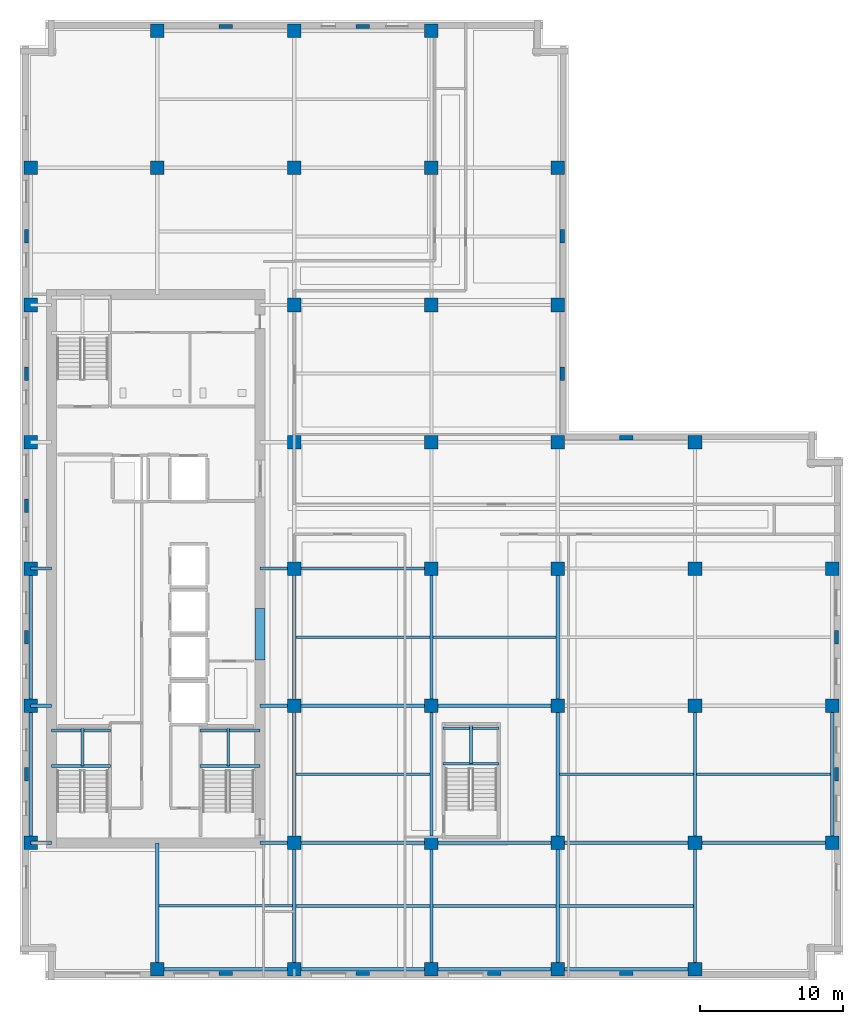
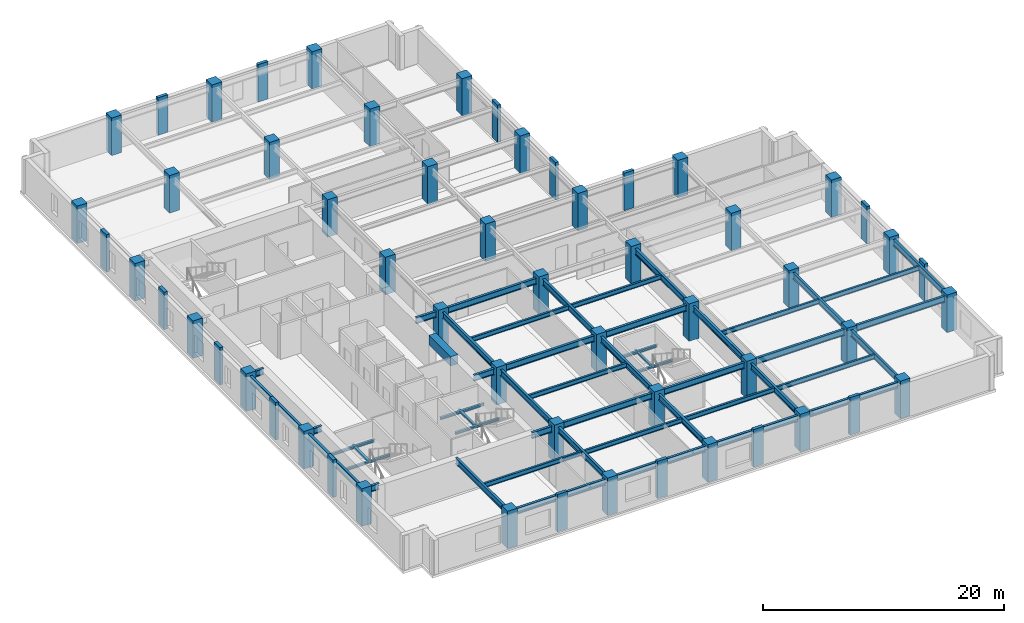
# One storey, part 1 of 13: 56 columns, 51 beams.
"""IFC4 building model written with IfcOpenShell, lengths in metres."""

from ifc_helpers import new_model, si_unit, direction, frame, origin, origin_2d, place, context, subcontext, project, spatial, rectangle, i_section, extrude, material, material_profile, profile_set, type_object, element, save


model = new_model("IFC4")

# Units and contexts
model_context = context("Model", 3, precision=1e-05, world=origin(), true_north=direction((0.0, 1.0)))
body_context = subcontext(model_context, "Body", "Model", "MODEL_VIEW")
ifc_project = project(units=[si_unit("LENGTHUNIT", "METRE"), si_unit("AREAUNIT", "SQUARE_METRE"), si_unit("VOLUMEUNIT", "CUBIC_METRE"), si_unit("PLANEANGLEUNIT", "RADIAN"), si_unit("MASSUNIT", "GRAM", prefix="KILO")], contexts=[model_context])

# Site, building, storey
site_placement = place(None, origin())
site = spatial("IfcSite", under=ifc_project, at=site_placement, CompositionType="ELEMENT")
building_placement = place(site_placement, origin())
building = spatial("IfcBuilding", under=site, at=building_placement, Name="Norrvale University Quadrangle", CompositionType="ELEMENT")
storey_placement = place(building_placement, frame((0.0, 0.0, 190.199951171875)))
storey = spatial("IfcBuildingStorey", under=building, at=storey_placement, Name="L48", CompositionType="ELEMENT", Elevation=190.199951171875)

# Columns
ifc_material_1 = material(Name="Red Manganese Brick Concrete C60/75", Category="concrete")
ifc_material_profile_1 = material_profile(ifc_material_1, rectangle(XDim=0.949951171875, YDim=0.300048828125, at=origin_2d()), Name="Red Manganese Brick Concrete C60/75")
ifc_profile_set_1 = profile_set([ifc_material_profile_1], Name="Red Manganese Brick Concrete C60/75")
column_type_1 = type_object("IfcColumnType", Name="Column Brick Pier 950x300", PredefinedType="PILASTER", material=ifc_profile_set_1)
for number, where, z_axis, x_axis, name in (
    (1, (0.449951171875, 14.39990234375, 0.0), (0.0, 0.0, 1.0), (0.0, 1.0, 0.0), "Exterior Brick Facade Pilaster L48-01"),
    (2, (0.449951171875, 24.0, 0.0), (0.0, 0.0, 1.0), (0.0, 1.0, 0.0), "Exterior Brick Facade Pilaster L48-02"),
    (3, (0.449951171875, 33.199951171875, 0.0), (0.0, 0.0, 1.0), (0.0, 1.0, 0.0), "Exterior Brick Facade Pilaster L48-03"),
    (4, (0.449951171875, 42.449951171875, 0.0), (0.0, 0.0, 1.0), (0.0, 1.0, 0.0), "Exterior Brick Facade Pilaster L48-04"),
    (5, (0.449951171875, 52.050048828125, 0.0), (0.0, 0.0, 1.0), (0.0, 1.0, 0.0), "Exterior Brick Facade Pilaster L48-05"),
    (6, (14.39990234375, 0.449951171875, 0.0), (0.0, 0.0, 1.0), (1.0, 0.0, 0.0), "Exterior Brick Facade Pilaster L48-06"),
    (7, (24.0, 0.449951171875, 0.0), (0.0, 0.0, 1.0), (1.0, 0.0, 0.0), "Exterior Brick Facade Pilaster L48-07"),
    (8, (33.199951171875, 0.449951171875, 0.0), (0.0, 0.0, 1.0), (1.0, 0.0, 0.0), "Exterior Brick Facade Pilaster L48-08"),
    (9, (42.449951171875, 0.449951171875, 0.0), (0.0, 0.0, 1.0), (1.0, 0.0, 0.0), "Exterior Brick Facade Pilaster L48-09"),
    (10, (57.14990234375, 14.39990234375, 0.0), (0.0, 0.0, 1.0), (0.0, 1.0, 0.0), "Exterior Brick Facade Pilaster L48-10"),
    (11, (57.14990234375, 24.0, 0.0), (0.0, 0.0, 1.0), (0.0, 1.0, 0.0), "Exterior Brick Facade Pilaster L48-11"),
    (12, (14.39990234375, 66.75, 0.0), (0.0, 0.0, 1.0), (1.0, 0.0, 0.0), "Exterior Brick Facade Pilaster L48-12"),
    (13, (24.0, 66.75, 0.0), (0.0, 0.0, 1.0), (1.0, 0.0, 0.0), "Exterior Brick Facade Pilaster L48-13"),
    (14, (37.949951171875, 42.449951171875, 0.0), (0.0, 0.0, 1.0), (0.0, 1.0, 0.0), "Exterior Brick Facade Pilaster L48-14"),
    (15, (37.949951171875, 52.050048828125, 0.0), (0.0, 0.0, 1.0), (0.0, 1.0, 0.0), "Exterior Brick Facade Pilaster L48-15"),
    (16, (42.449951171875, 37.949951171875, 0.0), (0.0, 0.0, 1.0), (1.0, 0.0, 0.0), "Exterior Brick Facade Pilaster L48-16"),
):
    element("IfcColumn", number, at=place(storey_placement, frame(where, z_axis=z_axis, x_axis=x_axis)), inside=storey, type_object=column_type_1, Name=name, PredefinedType="PILASTER", context=body_context, shape_type="SweptSolid", body=[
        extrude(rectangle(XDim=0.949951171875, YDim=0.300048828125, at=origin_2d()), origin(), (0.0, 0.0, 1.0), 3.800048828125),
    ])
ifc_material_2 = material(Name="Concrete C60/75", Category="concrete")
ifc_material_profile_2 = material_profile(ifc_material_2, rectangle(XDim=0.949951171875, YDim=0.949951171875, at=origin_2d()), Name="Concrete C60/75")
ifc_profile_set_2 = profile_set([ifc_material_profile_2], Name="Concrete C60/75")
column_type_2 = type_object("IfcColumnType", Name="Column Tower Z2 950x950", PredefinedType="COLUMN", material=ifc_profile_set_2)
for number, where, z_axis, x_axis, name in (
    (17, (0.75, 9.60009765625, 0.0), (0.0, 0.0, 1.0), (1.0, 0.0, 0.0), "Tower Column L48-T01"),
    (18, (0.75, 19.199951171875, 0.0), (0.0, 0.0, 1.0), (1.0, 0.0, 0.0), "Tower Column L48-T02"),
    (19, (0.75, 28.800048828125, 0.0), (0.0, 0.0, 1.0), (1.0, 0.0, 0.0), "Tower Column L48-T03"),
    (20, (0.75, 37.64990234375, 0.0), (0.0, 0.0, 1.0), (1.0, 0.0, 0.0), "Tower Column L48-T04"),
    (21, (0.75, 47.25, 0.0), (0.0, 0.0, 1.0), (1.0, 0.0, 0.0), "Tower Column L48-T05"),
    (22, (0.75, 56.85009765625, 0.0), (0.0, 0.0, 1.0), (1.0, 0.0, 0.0), "Tower Column L48-T06"),
    (23, (9.60009765625, 0.75, 0.0), (0.0, 0.0, 1.0), (1.0, 0.0, 0.0), "Tower Column L48-T07"),
    (24, (9.60009765625, 56.85009765625, 0.0), (0.0, 0.0, 1.0), (1.0, 0.0, 0.0), "Tower Column L48-T08"),
    (25, (9.60009765625, 66.449951171875, 0.0), (0.0, 0.0, 1.0), (1.0, 0.0, 0.0), "Tower Column L48-T09"),
    (26, (19.199951171875, 0.75, 0.0), (0.0, 0.0, 1.0), (1.0, 0.0, 0.0), "Tower Column L48-T10"),
    (27, (19.199951171875, 9.60009765625, 0.0), (0.0, 0.0, 1.0), (1.0, 0.0, 0.0), "Tower Column L48-T11"),
    (28, (19.199951171875, 19.199951171875, 0.0), (0.0, 0.0, 1.0), (1.0, 0.0, 0.0), "Tower Column L48-T12"),
    (29, (19.199951171875, 28.800048828125, 0.0), (0.0, 0.0, 1.0), (1.0, 0.0, 0.0), "Tower Column L48-T13"),
    (30, (19.199951171875, 37.64990234375, 0.0), (0.0, 0.0, 1.0), (1.0, 0.0, 0.0), "Tower Column L48-T14"),
    (31, (19.199951171875, 47.25, 0.0), (0.0, 0.0, 1.0), (1.0, 0.0, 0.0), "Tower Column L48-T15"),
    (32, (19.199951171875, 56.85009765625, 0.0), (0.0, 0.0, 1.0), (1.0, 0.0, 0.0), "Tower Column L48-T16"),
    (33, (19.199951171875, 66.449951171875, 0.0), (0.0, 0.0, 1.0), (1.0, 0.0, 0.0), "Tower Column L48-T17"),
    (34, (28.800048828125, 0.75, 0.0), (0.0, 0.0, 1.0), (1.0, 0.0, 0.0), "Tower Column L48-T18"),
    (35, (28.800048828125, 9.60009765625, 0.0), (0.0, 0.0, 1.0), (1.0, 0.0, 0.0), "Tower Column L48-T19"),
    (36, (28.800048828125, 19.199951171875, 0.0), (0.0, 0.0, 1.0), (1.0, 0.0, 0.0), "Tower Column L48-T20"),
    (37, (28.800048828125, 28.800048828125, 0.0), (0.0, 0.0, 1.0), (1.0, 0.0, 0.0), "Tower Column L48-T21"),
    (38, (28.800048828125, 37.64990234375, 0.0), (0.0, 0.0, 1.0), (1.0, 0.0, 0.0), "Tower Column L48-T22"),
    (39, (28.800048828125, 47.25, 0.0), (0.0, 0.0, 1.0), (1.0, 0.0, 0.0), "Tower Column L48-T23"),
    (40, (28.800048828125, 56.85009765625, 0.0), (0.0, 0.0, 1.0), (1.0, 0.0, 0.0), "Tower Column L48-T24"),
    (41, (28.800048828125, 66.449951171875, 0.0), (0.0, 0.0, 1.0), (1.0, 0.0, 0.0), "Tower Column L48-T25"),
    (42, (37.64990234375, 0.75, 0.0), (0.0, 0.0, 1.0), (1.0, 0.0, 0.0), "Tower Column L48-T26"),
    (43, (37.64990234375, 9.60009765625, 0.0), (0.0, 0.0, 1.0), (1.0, 0.0, 0.0), "Tower Column L48-T27"),
    (44, (37.64990234375, 19.199951171875, 0.0), (0.0, 0.0, 1.0), (1.0, 0.0, 0.0), "Tower Column L48-T28"),
    (45, (37.64990234375, 28.800048828125, 0.0), (0.0, 0.0, 1.0), (1.0, 0.0, 0.0), "Tower Column L48-T29"),
    (46, (37.64990234375, 37.64990234375, 0.0), (0.0, 0.0, 1.0), (1.0, 0.0, 0.0), "Tower Column L48-T30"),
    (47, (37.64990234375, 47.25, 0.0), (0.0, 0.0, 1.0), (1.0, 0.0, 0.0), "Tower Column L48-T31"),
    (48, (37.64990234375, 56.85009765625, 0.0), (0.0, 0.0, 1.0), (1.0, 0.0, 0.0), "Tower Column L48-T32"),
    (49, (47.25, 0.75, 0.0), (0.0, 0.0, 1.0), (1.0, 0.0, 0.0), "Tower Column L48-T33"),
    (50, (47.25, 9.60009765625, 0.0), (0.0, 0.0, 1.0), (1.0, 0.0, 0.0), "Tower Column L48-T34"),
    (51, (47.25, 19.199951171875, 0.0), (0.0, 0.0, 1.0), (1.0, 0.0, 0.0), "Tower Column L48-T35"),
    (52, (47.25, 28.800048828125, 0.0), (0.0, 0.0, 1.0), (1.0, 0.0, 0.0), "Tower Column L48-T36"),
    (53, (47.25, 37.64990234375, 0.0), (0.0, 0.0, 1.0), (1.0, 0.0, 0.0), "Tower Column L48-T37"),
    (54, (56.85009765625, 9.60009765625, 0.0), (0.0, 0.0, 1.0), (1.0, 0.0, 0.0), "Tower Column L48-T38"),
    (55, (56.85009765625, 19.199951171875, 0.0), (0.0, 0.0, 1.0), (1.0, 0.0, 0.0), "Tower Column L48-T39"),
    (56, (56.85009765625, 28.800048828125, 0.0), (0.0, 0.0, 1.0), (1.0, 0.0, 0.0), "Tower Column L48-T40"),
):
    element("IfcColumn", number, at=place(storey_placement, frame(where, z_axis=z_axis, x_axis=x_axis)), inside=storey, type_object=column_type_2, Name=name, PredefinedType="COLUMN", context=body_context, shape_type="SweptSolid", body=[
        extrude(rectangle(XDim=0.949951171875, YDim=0.949951171875, at=origin_2d()), origin(), (0.0, 0.0, 1.0), 3.800048828125),
    ])

# Beams
ifc_material_3 = material(Name="Concrete C80/95", Category="concrete")
ifc_material_profile_3 = material_profile(ifc_material_3, rectangle(XDim=0.699951171875, YDim=0.949951171875, at=origin_2d()), Name="Concrete C80/95")
ifc_profile_set_3 = profile_set([ifc_material_profile_3], Name="Concrete C80/95")
beam_type_1 = type_object("IfcBeamType", Name="Beam Core Link 700x950", PredefinedType="LINTEL", material=ifc_profile_set_3)
beam_1_placement = place(storey_placement, frame((16.800048828125, 22.39990234375, 3.005126953125), z_axis=(0.0, 1.0, 0.0), x_axis=(-1.0, 0.0, 0.0)))
element("IfcBeam", 57, at=beam_1_placement, inside=storey, type_object=beam_type_1, Name="Core Coupling Lintel Beam L48-1", PredefinedType="LINTEL", context=body_context, shape_type="SweptSolid", body=[
    extrude(rectangle(XDim=0.699951171875, YDim=0.949951171875, at=origin_2d()), origin(), (0.0, 0.0, 1.0), 3.60009765625),
])
ifc_material_4 = material(Name="Steel 350W", Category="steel")
ifc_material_profile_4 = material_profile(ifc_material_4, i_section(OverallWidth=0.18994140625, OverallDepth=0.45703125, WebThickness=0.009033203125, FlangeThickness=0.014404296875, FilletRadius=0.012939453125, at=origin_2d()), Name="Steel 350W")
ifc_profile_set_4 = profile_set([ifc_material_profile_4], Name="Steel 350W")
beam_type_2 = type_object("IfcBeamType", Name="Beam Floor W460x74", PredefinedType="JOIST", material=ifc_profile_set_4)
for number, where, z_axis, x_axis, name in (
    (58, (19.31494140625, 5.175048828125, 3.25146484375), (1.0, 0.0, 0.0), (0.0, 1.0, 0.0), "Beam Floor W460x74 BM-L48-J071"),
    (59, (19.31494140625, 14.39990234375, 3.25146484375), (1.0, 0.0, 0.0), (0.0, 1.0, 0.0), "Beam Floor W460x74 BM-L48-J072"),
    (60, (19.31494140625, 24.0, 3.25146484375), (1.0, 0.0, 0.0), (0.0, 1.0, 0.0), "Beam Floor W460x74 BM-L48-J073"),
):
    element("IfcBeam", number, at=place(storey_placement, frame(where, z_axis=z_axis, x_axis=x_axis)), inside=storey, type_object=beam_type_2, Name=name, PredefinedType="JOIST", context=body_context, shape_type="SweptSolid", body=[
        extrude(i_section(OverallWidth=0.18994140625, OverallDepth=0.45703125, WebThickness=0.009033203125, FlangeThickness=0.014404296875, FilletRadius=0.012939453125, at=origin_2d()), origin(), (0.0, 0.0, 1.0), 9.3701171875),
    ])
for number, where, z_axis, x_axis, name in (
    (61, (28.9150390625, 5.175048828125, 3.25146484375), (1.0, 0.0, 0.0), (0.0, 1.0, 0.0), "Beam Floor W460x74 BM-L48-J078"),
    (62, (28.9150390625, 24.0, 3.25146484375), (1.0, 0.0, 0.0), (0.0, 1.0, 0.0), "Beam Floor W460x74 BM-L48-J079"),
):
    element("IfcBeam", number, at=place(storey_placement, frame(where, z_axis=z_axis, x_axis=x_axis)), inside=storey, type_object=beam_type_2, Name=name, PredefinedType="JOIST", context=body_context, shape_type="SweptSolid", body=[
        extrude(i_section(OverallWidth=0.18994140625, OverallDepth=0.45703125, WebThickness=0.009033203125, FlangeThickness=0.014404296875, FilletRadius=0.012939453125, at=origin_2d()), origin(), (0.0, 0.0, 1.0), 8.619873046875),
    ])
for number, where, z_axis, x_axis, name in (
    (63, (37.764892578125, 5.175048828125, 3.25146484375), (1.0, 0.0, 0.0), (0.0, 1.0, 0.0), "Beam Floor W460x74 BM-L48-J083"),
    (64, (37.764892578125, 14.39990234375, 3.25146484375), (1.0, 0.0, 0.0), (0.0, 1.0, 0.0), "Beam Floor W460x74 BM-L48-J084"),
    (65, (47.364990234375, 14.39990234375, 3.25146484375), (1.0, 0.0, 0.0), (0.0, 1.0, 0.0), "Beam Floor W460x74 BM-L48-J087"),
):
    element("IfcBeam", number, at=place(storey_placement, frame(where, z_axis=z_axis, x_axis=x_axis)), inside=storey, type_object=beam_type_2, Name=name, PredefinedType="JOIST", context=body_context, shape_type="SweptSolid", body=[
        extrude(i_section(OverallWidth=0.18994140625, OverallDepth=0.45703125, WebThickness=0.009033203125, FlangeThickness=0.014404296875, FilletRadius=0.012939453125, at=origin_2d()), origin(), (0.0, 0.0, 1.0), 9.3701171875),
    ])
beam_2_placement = place(storey_placement, frame((9.715087890625, 5.199951171875, 3.25146484375), z_axis=(1.0, 0.0, 0.0), x_axis=(0.0, 1.0, 0.0)))
element("IfcBeam", 66, at=beam_2_placement, inside=storey, type_object=beam_type_2, Name="Beam Floor W460x74 BM-L48-JCS090", PredefinedType="JOIST", context=body_context, shape_type="SweptSolid", body=[
    extrude(i_section(OverallWidth=0.18994140625, OverallDepth=0.45703125, WebThickness=0.009033203125, FlangeThickness=0.014404296875, FilletRadius=0.012939453125, at=origin_2d()), origin(), (0.0, 0.0, 1.0), 9.369873046875),
])
ifc_material_profile_5 = material_profile(ifc_material_4, i_section(OverallWidth=0.22998046875, OverallDepth=0.616943359375, WebThickness=0.01318359375, FlangeThickness=0.022216796875, FilletRadius=0.01611328125, at=origin_2d()), Name="Steel 350W")
ifc_profile_set_5 = profile_set([ifc_material_profile_5], Name="Steel 350W")
beam_type_3 = type_object("IfcBeamType", Name="Beam Floor W610x140", PredefinedType="BEAM", material=ifc_profile_set_5)
beam_3_placement = place(storey_placement, frame((9.60009765625, 0.75, 3.171630859375), z_axis=(1.0, 0.0, 0.0), x_axis=(0.0, 1.0, 0.0)))
element("IfcBeam", 67, at=beam_3_placement, inside=storey, type_object=beam_type_3, Name="Beam Floor W610x140 BM-L48-GX001", PredefinedType="BEAM", context=body_context, shape_type="SweptSolid", body=[
    extrude(i_section(OverallWidth=0.22998046875, OverallDepth=0.616943359375, WebThickness=0.01318359375, FlangeThickness=0.022216796875, FilletRadius=0.01611328125, at=origin_2d()), origin(), (0.0, 0.0, 1.0), 9.599853515625),
])
beam_4_placement = place(storey_placement, frame((19.199951171875, 0.75, 3.171630859375), z_axis=(1.0, 0.0, 0.0), x_axis=(0.0, 1.0, 0.0)))
element("IfcBeam", 68, at=beam_4_placement, inside=storey, type_object=beam_type_3, Name="Beam Floor W610x140 BM-L48-GX002", PredefinedType="BEAM", context=body_context, shape_type="SweptSolid", body=[
    extrude(i_section(OverallWidth=0.22998046875, OverallDepth=0.616943359375, WebThickness=0.01318359375, FlangeThickness=0.022216796875, FilletRadius=0.01611328125, at=origin_2d()), origin(), (0.0, 0.0, 1.0), 9.60009765625),
])
beam_5_placement = place(storey_placement, frame((28.800048828125, 0.75, 3.171630859375), z_axis=(1.0, 0.0, 0.0), x_axis=(0.0, 1.0, 0.0)))
element("IfcBeam", 69, at=beam_5_placement, inside=storey, type_object=beam_type_3, Name="Beam Floor W610x140 BM-L48-GX003", PredefinedType="BEAM", context=body_context, shape_type="SweptSolid", body=[
    extrude(i_section(OverallWidth=0.22998046875, OverallDepth=0.616943359375, WebThickness=0.01318359375, FlangeThickness=0.022216796875, FilletRadius=0.01611328125, at=origin_2d()), origin(), (0.0, 0.0, 1.0), 8.849853515625),
])
for number, where, z_axis, x_axis, name in (
    (70, (37.64990234375, 0.75, 3.171630859375), (1.0, 0.0, 0.0), (0.0, 1.0, 0.0), "Beam Floor W610x140 BM-L48-GX004"),
    (71, (19.199951171875, 9.60009765625, 3.171630859375), (1.0, 0.0, 0.0), (0.0, 1.0, 0.0), "Beam Floor W610x140 BM-L48-GX005"),
):
    element("IfcBeam", number, at=place(storey_placement, frame(where, z_axis=z_axis, x_axis=x_axis)), inside=storey, type_object=beam_type_3, Name=name, PredefinedType="BEAM", context=body_context, shape_type="SweptSolid", body=[
        extrude(i_section(OverallWidth=0.22998046875, OverallDepth=0.616943359375, WebThickness=0.01318359375, FlangeThickness=0.022216796875, FilletRadius=0.01611328125, at=origin_2d()), origin(), (0.0, 0.0, 1.0), 9.60009765625),
    ])
beam_6_placement = place(storey_placement, frame((28.800048828125, 9.60009765625, 3.171630859375), z_axis=(1.0, 0.0, 0.0), x_axis=(0.0, 1.0, 0.0)))
element("IfcBeam", 72, at=beam_6_placement, inside=storey, type_object=beam_type_3, Name="Beam Floor W610x140 BM-L48-GX006", PredefinedType="BEAM", context=body_context, shape_type="SweptSolid", body=[
    extrude(i_section(OverallWidth=0.22998046875, OverallDepth=0.616943359375, WebThickness=0.01318359375, FlangeThickness=0.022216796875, FilletRadius=0.01611328125, at=origin_2d()), origin(), (0.0, 0.0, 1.0), 8.849853515625),
])
for number, where, z_axis, x_axis, name in (
    (73, (37.64990234375, 9.60009765625, 3.171630859375), (1.0, 0.0, 0.0), (0.0, 1.0, 0.0), "Beam Floor W610x140 BM-L48-GX007"),
    (74, (47.25, 9.60009765625, 3.171630859375), (1.0, 0.0, 0.0), (0.0, 1.0, 0.0), "Beam Floor W610x140 BM-L48-GX008"),
    (75, (19.199951171875, 19.199951171875, 3.171630859375), (1.0, 0.0, 0.0), (0.0, 1.0, 0.0), "Beam Floor W610x140 BM-L48-GX009"),
):
    element("IfcBeam", number, at=place(storey_placement, frame(where, z_axis=z_axis, x_axis=x_axis)), inside=storey, type_object=beam_type_3, Name=name, PredefinedType="BEAM", context=body_context, shape_type="SweptSolid", body=[
        extrude(i_section(OverallWidth=0.22998046875, OverallDepth=0.616943359375, WebThickness=0.01318359375, FlangeThickness=0.022216796875, FilletRadius=0.01611328125, at=origin_2d()), origin(), (0.0, 0.0, 1.0), 9.60009765625),
    ])
beam_7_placement = place(storey_placement, frame((28.800048828125, 19.199951171875, 3.171630859375), z_axis=(1.0, 0.0, 0.0), x_axis=(0.0, 1.0, 0.0)))
element("IfcBeam", 76, at=beam_7_placement, inside=storey, type_object=beam_type_3, Name="Beam Floor W610x140 BM-L48-GX010", PredefinedType="BEAM", context=body_context, shape_type="SweptSolid", body=[
    extrude(i_section(OverallWidth=0.22998046875, OverallDepth=0.616943359375, WebThickness=0.01318359375, FlangeThickness=0.022216796875, FilletRadius=0.01611328125, at=origin_2d()), origin(), (0.0, 0.0, 1.0), 8.849853515625),
])
beam_8_placement = place(storey_placement, frame((19.199951171875, 28.800048828125, 3.171630859375), z_axis=(1.0, 0.0, 0.0), x_axis=(0.0, 1.0, 0.0)))
element("IfcBeam", 77, at=beam_8_placement, inside=storey, type_object=beam_type_3, Name="Beam Floor W610x140 BM-L48-GX013", PredefinedType="BEAM", context=body_context, shape_type="SweptSolid", body=[
    extrude(i_section(OverallWidth=0.22998046875, OverallDepth=0.616943359375, WebThickness=0.01318359375, FlangeThickness=0.022216796875, FilletRadius=0.01611328125, at=origin_2d()), origin(), (0.0, 0.0, 1.0), 9.60009765625),
])
beam_9_placement = place(storey_placement, frame((0.75, 9.60009765625, 3.171630859375), z_axis=(0.0, 1.0, 0.0), x_axis=(-1.0, 0.0, 0.0)))
element("IfcBeam", 78, at=beam_9_placement, inside=storey, type_object=beam_type_3, Name="Beam Floor W610x140 BM-L48-GY028", PredefinedType="BEAM", context=body_context, shape_type="SweptSolid", body=[
    extrude(i_section(OverallWidth=0.22998046875, OverallDepth=0.616943359375, WebThickness=0.01318359375, FlangeThickness=0.022216796875, FilletRadius=0.01611328125, at=origin_2d()), origin(), (0.0, 0.0, 1.0), 9.599853515625),
])
beam_10_placement = place(storey_placement, frame((0.75, 19.199951171875, 3.171630859375), z_axis=(0.0, 1.0, 0.0), x_axis=(-1.0, 0.0, 0.0)))
element("IfcBeam", 79, at=beam_10_placement, inside=storey, type_object=beam_type_3, Name="Beam Floor W610x140 BM-L48-GY029", PredefinedType="BEAM", context=body_context, shape_type="SweptSolid", body=[
    extrude(i_section(OverallWidth=0.22998046875, OverallDepth=0.616943359375, WebThickness=0.01318359375, FlangeThickness=0.022216796875, FilletRadius=0.01611328125, at=origin_2d()), origin(), (0.0, 0.0, 1.0), 9.60009765625),
])
beam_11_placement = place(storey_placement, frame((19.199951171875, 0.75, 3.171630859375), z_axis=(0.0, 1.0, 0.0), x_axis=(-1.0, 0.0, 0.0)))
element("IfcBeam", 80, at=beam_11_placement, inside=storey, type_object=beam_type_3, Name="Beam Floor W610x140 BM-L48-GY034", PredefinedType="BEAM", context=body_context, shape_type="SweptSolid", body=[
    extrude(i_section(OverallWidth=0.22998046875, OverallDepth=0.616943359375, WebThickness=0.01318359375, FlangeThickness=0.022216796875, FilletRadius=0.01611328125, at=origin_2d()), origin(), (0.0, 0.0, 1.0), 8.85009765625),
])
beam_12_placement = place(storey_placement, frame((19.199951171875, 9.60009765625, 3.171630859375), z_axis=(0.0, 1.0, 0.0), x_axis=(-1.0, 0.0, 0.0)))
element("IfcBeam", 81, at=beam_12_placement, inside=storey, type_object=beam_type_3, Name="Beam Floor W610x140 BM-L48-GY035", PredefinedType="BEAM", context=body_context, shape_type="SweptSolid", body=[
    extrude(i_section(OverallWidth=0.22998046875, OverallDepth=0.616943359375, WebThickness=0.01318359375, FlangeThickness=0.022216796875, FilletRadius=0.01611328125, at=origin_2d()), origin(), (0.0, 0.0, 1.0), 9.599853515625),
])
beam_13_placement = place(storey_placement, frame((19.199951171875, 19.199951171875, 3.171630859375), z_axis=(0.0, 1.0, 0.0), x_axis=(-1.0, 0.0, 0.0)))
element("IfcBeam", 82, at=beam_13_placement, inside=storey, type_object=beam_type_3, Name="Beam Floor W610x140 BM-L48-GY036", PredefinedType="BEAM", context=body_context, shape_type="SweptSolid", body=[
    extrude(i_section(OverallWidth=0.22998046875, OverallDepth=0.616943359375, WebThickness=0.01318359375, FlangeThickness=0.022216796875, FilletRadius=0.01611328125, at=origin_2d()), origin(), (0.0, 0.0, 1.0), 9.60009765625),
])
beam_14_placement = place(storey_placement, frame((28.800048828125, 0.75, 3.171630859375), z_axis=(0.0, 1.0, 0.0), x_axis=(-1.0, 0.0, 0.0)))
element("IfcBeam", 83, at=beam_14_placement, inside=storey, type_object=beam_type_3, Name="Beam Floor W610x140 BM-L48-GY041", PredefinedType="BEAM", context=body_context, shape_type="SweptSolid", body=[
    extrude(i_section(OverallWidth=0.22998046875, OverallDepth=0.616943359375, WebThickness=0.01318359375, FlangeThickness=0.022216796875, FilletRadius=0.01611328125, at=origin_2d()), origin(), (0.0, 0.0, 1.0), 8.85009765625),
])
beam_15_placement = place(storey_placement, frame((28.800048828125, 9.60009765625, 3.171630859375), z_axis=(0.0, 1.0, 0.0), x_axis=(-1.0, 0.0, 0.0)))
element("IfcBeam", 84, at=beam_15_placement, inside=storey, type_object=beam_type_3, Name="Beam Floor W610x140 BM-L48-GY042", PredefinedType="BEAM", context=body_context, shape_type="SweptSolid", body=[
    extrude(i_section(OverallWidth=0.22998046875, OverallDepth=0.616943359375, WebThickness=0.01318359375, FlangeThickness=0.022216796875, FilletRadius=0.01611328125, at=origin_2d()), origin(), (0.0, 0.0, 1.0), 9.599853515625),
])
beam_16_placement = place(storey_placement, frame((28.800048828125, 19.199951171875, 3.171630859375), z_axis=(0.0, 1.0, 0.0), x_axis=(-1.0, 0.0, 0.0)))
element("IfcBeam", 85, at=beam_16_placement, inside=storey, type_object=beam_type_3, Name="Beam Floor W610x140 BM-L48-GY043", PredefinedType="BEAM", context=body_context, shape_type="SweptSolid", body=[
    extrude(i_section(OverallWidth=0.22998046875, OverallDepth=0.616943359375, WebThickness=0.01318359375, FlangeThickness=0.022216796875, FilletRadius=0.01611328125, at=origin_2d()), origin(), (0.0, 0.0, 1.0), 9.60009765625),
])
beam_17_placement = place(storey_placement, frame((37.64990234375, 0.75, 3.171630859375), z_axis=(0.0, 1.0, 0.0), x_axis=(-1.0, 0.0, 0.0)))
element("IfcBeam", 86, at=beam_17_placement, inside=storey, type_object=beam_type_3, Name="Beam Floor W610x140 BM-L48-GY048", PredefinedType="BEAM", context=body_context, shape_type="SweptSolid", body=[
    extrude(i_section(OverallWidth=0.22998046875, OverallDepth=0.616943359375, WebThickness=0.01318359375, FlangeThickness=0.022216796875, FilletRadius=0.01611328125, at=origin_2d()), origin(), (0.0, 0.0, 1.0), 8.85009765625),
])
beam_18_placement = place(storey_placement, frame((37.64990234375, 9.60009765625, 3.171630859375), z_axis=(0.0, 1.0, 0.0), x_axis=(-1.0, 0.0, 0.0)))
element("IfcBeam", 87, at=beam_18_placement, inside=storey, type_object=beam_type_3, Name="Beam Floor W610x140 BM-L48-GY049", PredefinedType="BEAM", context=body_context, shape_type="SweptSolid", body=[
    extrude(i_section(OverallWidth=0.22998046875, OverallDepth=0.616943359375, WebThickness=0.01318359375, FlangeThickness=0.022216796875, FilletRadius=0.01611328125, at=origin_2d()), origin(), (0.0, 0.0, 1.0), 9.599853515625),
])
beam_19_placement = place(storey_placement, frame((37.64990234375, 19.199951171875, 3.171630859375), z_axis=(0.0, 1.0, 0.0), x_axis=(-1.0, 0.0, 0.0)))
element("IfcBeam", 88, at=beam_19_placement, inside=storey, type_object=beam_type_3, Name="Beam Floor W610x140 BM-L48-GY050", PredefinedType="BEAM", context=body_context, shape_type="SweptSolid", body=[
    extrude(i_section(OverallWidth=0.22998046875, OverallDepth=0.616943359375, WebThickness=0.01318359375, FlangeThickness=0.022216796875, FilletRadius=0.01611328125, at=origin_2d()), origin(), (0.0, 0.0, 1.0), 9.60009765625),
])
beam_20_placement = place(storey_placement, frame((47.25, 0.75, 3.171630859375), z_axis=(0.0, 1.0, 0.0), x_axis=(-1.0, 0.0, 0.0)))
element("IfcBeam", 89, at=beam_20_placement, inside=storey, type_object=beam_type_3, Name="Beam Floor W610x140 BM-L48-GY054", PredefinedType="BEAM", context=body_context, shape_type="SweptSolid", body=[
    extrude(i_section(OverallWidth=0.22998046875, OverallDepth=0.616943359375, WebThickness=0.01318359375, FlangeThickness=0.022216796875, FilletRadius=0.01611328125, at=origin_2d()), origin(), (0.0, 0.0, 1.0), 8.85009765625),
])
for number, where, z_axis, x_axis, name in (
    (90, (47.25, 9.60009765625, 3.171630859375), (0.0, 1.0, 0.0), (-1.0, 0.0, 0.0), "Beam Floor W610x140 BM-L48-GY055"),
    (91, (56.85009765625, 9.60009765625, 3.171630859375), (0.0, 1.0, 0.0), (-1.0, 0.0, 0.0), "Beam Floor W610x140 BM-L48-GY058"),
):
    element("IfcBeam", number, at=place(storey_placement, frame(where, z_axis=z_axis, x_axis=x_axis)), inside=storey, type_object=beam_type_3, Name=name, PredefinedType="BEAM", context=body_context, shape_type="SweptSolid", body=[
        extrude(i_section(OverallWidth=0.22998046875, OverallDepth=0.616943359375, WebThickness=0.01318359375, FlangeThickness=0.022216796875, FilletRadius=0.01611328125, at=origin_2d()), origin(), (0.0, 0.0, 1.0), 9.599853515625),
    ])
beam_21_placement = place(storey_placement, frame((0.75, 9.60009765625, 3.171630859375), z_axis=(1.0, 0.0, 0.0), x_axis=(0.0, 1.0, 0.0)))
element("IfcBeam", 92, at=beam_21_placement, inside=storey, type_object=beam_type_3, Name="Beam Floor W610x140 BM-L48-GCW060", PredefinedType="BEAM", context=body_context, shape_type="SweptSolid", body=[
    extrude(i_section(OverallWidth=0.22998046875, OverallDepth=0.616943359375, WebThickness=0.01318359375, FlangeThickness=0.022216796875, FilletRadius=0.01611328125, at=origin_2d()), origin(), (0.0, 0.0, 1.0), 1.449951171875),
])
beam_22_placement = place(storey_placement, frame((16.800048828125, 9.60009765625, 3.171630859375), z_axis=(1.0, 0.0, 0.0), x_axis=(0.0, 1.0, 0.0)))
element("IfcBeam", 93, at=beam_22_placement, inside=storey, type_object=beam_type_3, Name="Beam Floor W610x140 BM-L48-GCE061", PredefinedType="BEAM", context=body_context, shape_type="SweptSolid", body=[
    extrude(i_section(OverallWidth=0.22998046875, OverallDepth=0.616943359375, WebThickness=0.01318359375, FlangeThickness=0.022216796875, FilletRadius=0.01611328125, at=origin_2d()), origin(), (0.0, 0.0, 1.0), 2.39990234375),
])
beam_23_placement = place(storey_placement, frame((0.75, 19.199951171875, 3.171630859375), z_axis=(1.0, 0.0, 0.0), x_axis=(0.0, 1.0, 0.0)))
element("IfcBeam", 94, at=beam_23_placement, inside=storey, type_object=beam_type_3, Name="Beam Floor W610x140 BM-L48-GCW062", PredefinedType="BEAM", context=body_context, shape_type="SweptSolid", body=[
    extrude(i_section(OverallWidth=0.22998046875, OverallDepth=0.616943359375, WebThickness=0.01318359375, FlangeThickness=0.022216796875, FilletRadius=0.01611328125, at=origin_2d()), origin(), (0.0, 0.0, 1.0), 1.449951171875),
])
beam_24_placement = place(storey_placement, frame((16.800048828125, 19.199951171875, 3.171630859375), z_axis=(1.0, 0.0, 0.0), x_axis=(0.0, 1.0, 0.0)))
element("IfcBeam", 95, at=beam_24_placement, inside=storey, type_object=beam_type_3, Name="Beam Floor W610x140 BM-L48-GCE063", PredefinedType="BEAM", context=body_context, shape_type="SweptSolid", body=[
    extrude(i_section(OverallWidth=0.22998046875, OverallDepth=0.616943359375, WebThickness=0.01318359375, FlangeThickness=0.022216796875, FilletRadius=0.01611328125, at=origin_2d()), origin(), (0.0, 0.0, 1.0), 2.39990234375),
])
beam_25_placement = place(storey_placement, frame((0.75, 28.800048828125, 3.171630859375), z_axis=(1.0, 0.0, 0.0), x_axis=(0.0, 1.0, 0.0)))
element("IfcBeam", 96, at=beam_25_placement, inside=storey, type_object=beam_type_3, Name="Beam Floor W610x140 BM-L48-GCW064", PredefinedType="BEAM", context=body_context, shape_type="SweptSolid", body=[
    extrude(i_section(OverallWidth=0.22998046875, OverallDepth=0.616943359375, WebThickness=0.01318359375, FlangeThickness=0.022216796875, FilletRadius=0.01611328125, at=origin_2d()), origin(), (0.0, 0.0, 1.0), 1.449951171875),
])
beam_26_placement = place(storey_placement, frame((16.800048828125, 28.800048828125, 3.171630859375), z_axis=(1.0, 0.0, 0.0), x_axis=(0.0, 1.0, 0.0)))
element("IfcBeam", 97, at=beam_26_placement, inside=storey, type_object=beam_type_3, Name="Beam Floor W610x140 BM-L48-GCE065", PredefinedType="BEAM", context=body_context, shape_type="SweptSolid", body=[
    extrude(i_section(OverallWidth=0.22998046875, OverallDepth=0.616943359375, WebThickness=0.01318359375, FlangeThickness=0.022216796875, FilletRadius=0.01611328125, at=origin_2d()), origin(), (0.0, 0.0, 1.0), 2.39990234375),
])
beam_27_placement = place(storey_placement, frame((9.60009765625, 0.75, 3.171630859375), z_axis=(0.0, 1.0, 0.0), x_axis=(-1.0, 0.0, 0.0)))
element("IfcBeam", 98, at=beam_27_placement, inside=storey, type_object=beam_type_3, Name="Beam Floor W610x140 BM-L48-GCS089", PredefinedType="BEAM", context=body_context, shape_type="SweptSolid", body=[
    extrude(i_section(OverallWidth=0.22998046875, OverallDepth=0.616943359375, WebThickness=0.01318359375, FlangeThickness=0.022216796875, FilletRadius=0.01611328125, at=origin_2d()), origin(), (0.0, 0.0, 1.0), 8.85009765625),
])
ifc_material_profile_6 = material_profile(ifc_material_4, i_section(OverallWidth=0.201904296875, OverallDepth=0.2470703125, WebThickness=0.00732421875, FlangeThickness=0.010986328125, FilletRadius=0.011962890625, at=origin_2d()), Name="Steel 350W")
ifc_profile_set_6 = profile_set([ifc_material_profile_6], Name="Steel 350W")
beam_type_4 = type_object("IfcBeamType", Name="Beam Stair W250x49", PredefinedType="BEAM", material=ifc_profile_set_6)
for number, where, z_axis, x_axis, name in (
    (99, (2.199951171875, 14.989990234375, 1.57666015625), (1.0, 0.0, 0.0), (0.0, 1.0, 0.0), "Stair Mid-Landing Front Beam ST-01 L48"),
    (100, (2.199951171875, 17.469970703125, 1.57666015625), (1.0, 0.0, 0.0), (0.0, 1.0, 0.0), "Stair Mid-Landing Rear Beam ST-01 L48"),
):
    element("IfcBeam", number, at=place(storey_placement, frame(where, z_axis=z_axis, x_axis=x_axis)), inside=storey, type_object=beam_type_4, Name=name, PredefinedType="BEAM", context=body_context, shape_type="SweptSolid", body=[
        extrude(i_section(OverallWidth=0.201904296875, OverallDepth=0.2470703125, WebThickness=0.00732421875, FlangeThickness=0.010986328125, FilletRadius=0.011962890625, at=origin_2d()), origin(), (0.0, 0.0, 1.0), 4.14013671875),
    ])
for number, where, z_axis, x_axis, name in (
    (101, (12.610107421875, 14.989990234375, 1.57666015625), (1.0, 0.0, 0.0), (0.0, 1.0, 0.0), "Stair Mid-Landing Front Beam ST-03 L48"),
    (102, (12.610107421875, 17.469970703125, 1.57666015625), (1.0, 0.0, 0.0), (0.0, 1.0, 0.0), "Stair Mid-Landing Rear Beam ST-03 L48"),
):
    element("IfcBeam", number, at=place(storey_placement, frame(where, z_axis=z_axis, x_axis=x_axis)), inside=storey, type_object=beam_type_4, Name=name, PredefinedType="BEAM", context=body_context, shape_type="SweptSolid", body=[
        extrude(i_section(OverallWidth=0.201904296875, OverallDepth=0.2470703125, WebThickness=0.00732421875, FlangeThickness=0.010986328125, FilletRadius=0.011962890625, at=origin_2d()), origin(), (0.0, 0.0, 1.0), 4.18994140625),
    ])
for number, where, z_axis, x_axis, name in (
    (103, (29.610107421875, 15.139892578125, 1.57666015625), (1.0, 0.0, 0.0), (0.0, 1.0, 0.0), "Stair Mid-Landing Front Beam ST-04 L48"),
    (104, (29.610107421875, 17.6201171875, 1.57666015625), (1.0, 0.0, 0.0), (0.0, 1.0, 0.0), "Stair Mid-Landing Rear Beam ST-04 L48"),
):
    element("IfcBeam", number, at=place(storey_placement, frame(where, z_axis=z_axis, x_axis=x_axis)), inside=storey, type_object=beam_type_4, Name=name, PredefinedType="BEAM", context=body_context, shape_type="SweptSolid", body=[
        extrude(i_section(OverallWidth=0.201904296875, OverallDepth=0.2470703125, WebThickness=0.00732421875, FlangeThickness=0.010986328125, FilletRadius=0.011962890625, at=origin_2d()), origin(), (0.0, 0.0, 1.0), 3.929931640625),
    ])
ifc_material_profile_7 = material_profile(ifc_material_4, i_section(OverallWidth=0.202880859375, OverallDepth=0.202880859375, WebThickness=0.007080078125, FlangeThickness=0.010986328125, FilletRadius=0.010009765625, at=origin_2d()), Name="Steel 350W")
ifc_profile_set_7 = profile_set([ifc_material_profile_7], Name="Steel 350W")
beam_type_5 = type_object("IfcBeamType", Name="Beam Trim W200x46", PredefinedType="BEAM", material=ifc_profile_set_7)
for number, where, z_axis, x_axis, name in (
    (105, (4.375, 14.989990234375, 1.5986328125), (0.0, 1.0, 0.0), (-1.0, 0.0, 0.0), "Stair Mid-Landing Cross Beam ST-01 L48"),
    (106, (14.574951171875, 14.989990234375, 1.5986328125), (0.0, 1.0, 0.0), (-1.0, 0.0, 0.0), "Stair Mid-Landing Cross Beam ST-03 L48"),
    (107, (31.574951171875, 15.139892578125, 1.5986328125), (0.0, 1.0, 0.0), (-1.0, 0.0, 0.0), "Stair Mid-Landing Cross Beam ST-04 L48"),
):
    element("IfcBeam", number, at=place(storey_placement, frame(where, z_axis=z_axis, x_axis=x_axis)), inside=storey, type_object=beam_type_5, Name=name, PredefinedType="BEAM", context=body_context, shape_type="SweptSolid", body=[
        extrude(i_section(OverallWidth=0.202880859375, OverallDepth=0.202880859375, WebThickness=0.007080078125, FlangeThickness=0.010986328125, FilletRadius=0.010009765625, at=origin_2d()), origin(), (0.0, 0.0, 1.0), 2.800048828125),
    ])

save(model, "model.ifc")
